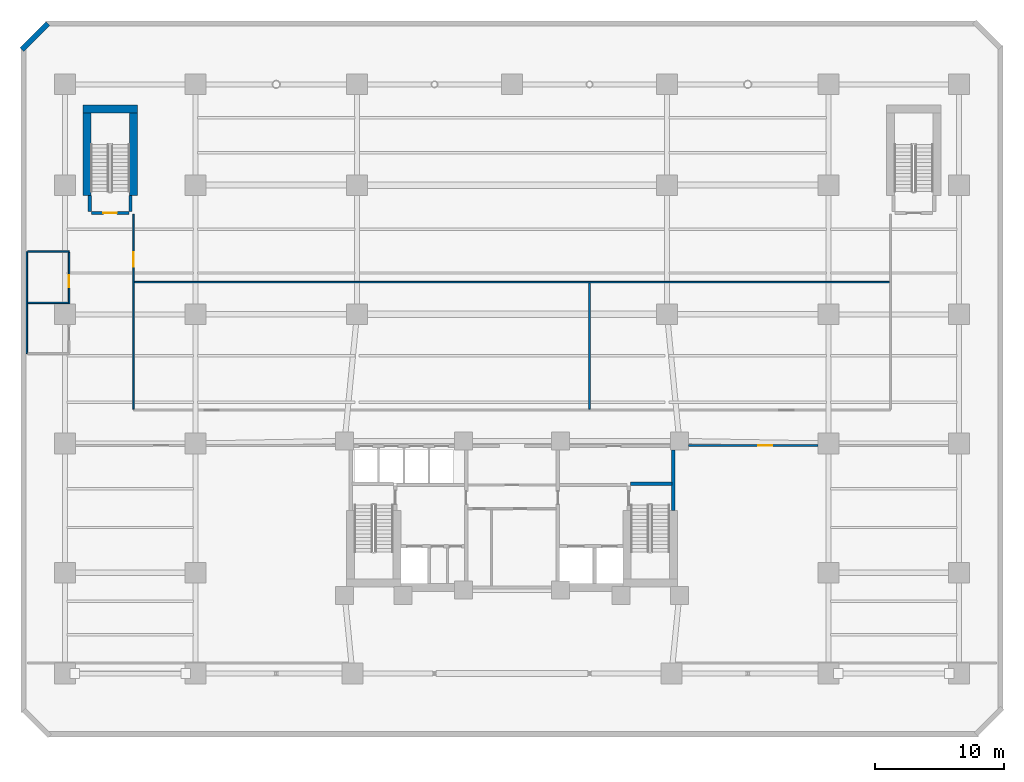
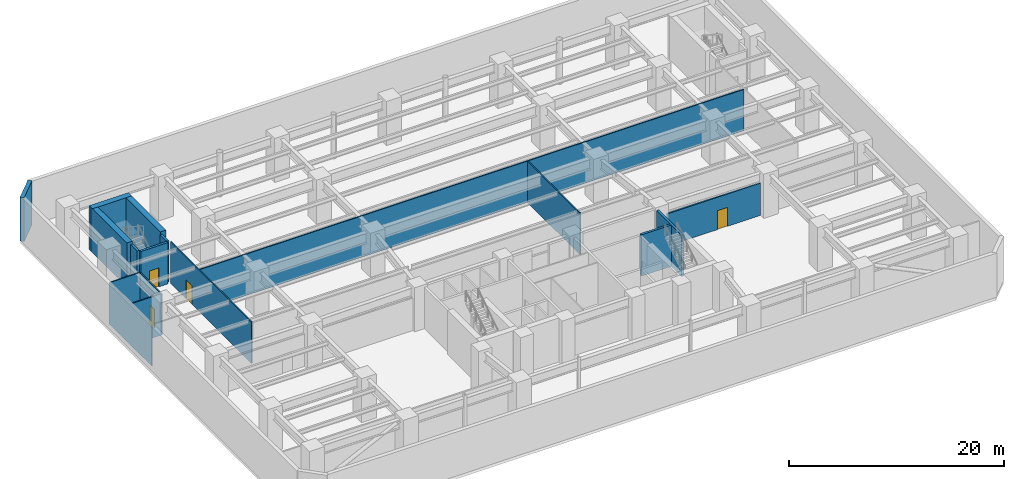
# One storey, part 8 of 12: 17 walls, 4 doors, 4 openings.
"""IFC4 building model written with IfcOpenShell, lengths in metres."""

from ifc_helpers import new_model, si_unit, direction, frame, frame_2d, origin, place, context, subcontext, project, spatial, rectangle, extrude, material, layer, layer_set, type_object, element, fill, save


model = new_model("IFC4")

# Units and contexts
model_context = context("Model", 3, precision=1e-05, world=origin(), true_north=direction((0.0, 1.0)))
body_context = subcontext(model_context, "Body", "Model", "MODEL_VIEW")
ifc_project = project(units=[si_unit("LENGTHUNIT", "METRE"), si_unit("AREAUNIT", "SQUARE_METRE"), si_unit("VOLUMEUNIT", "CUBIC_METRE"), si_unit("PLANEANGLEUNIT", "RADIAN"), si_unit("MASSUNIT", "GRAM", prefix="KILO")], contexts=[model_context])

# Site, building, storey
site_placement = place(None, origin())
site = spatial("IfcSite", under=ifc_project, at=site_placement, CompositionType="ELEMENT")
building_placement = place(site_placement, origin())
building = spatial("IfcBuilding", under=site, at=building_placement, Name="Quenlor Broadcast Tower", CompositionType="ELEMENT")
storey_placement = place(building_placement, frame((0.0, 0.0, -5.0)))
storey = spatial("IfcBuildingStorey", under=building, at=storey_placement, Name="B01", CompositionType="ELEMENT", Elevation=-5.0)

# Walls
ifc_material_1 = material(Name="Concrete C65/80", Category="concrete")
ifc_layer_1 = layer(ifc_material_1, 0.60009765625)
ifc_layer_set_1 = layer_set([ifc_layer_1], Name="Core Concrete C65/80 Shear Wall 600")
wall_type_1 = type_object("IfcWallType", Name="Core Concrete C65/80 Shear Wall 600", PredefinedType="SHEAR", material=ifc_layer_set_1)
wall_1_placement = place(storey_placement, frame((-33.199951171875, 20.89990234375, 0.0), z_axis=(0.0, 0.0, 1.0), x_axis=(1.0, 0.0, 0.0)))
element("IfcWall", 1, at=wall_1_placement, inside=storey, type_object=wall_type_1, Name="B01 Core Shear Wall ST3-N", PredefinedType="SHEAR", context=body_context, shape_type="SweptSolid", body=[
    extrude(rectangle(XDim=4.199951171875, YDim=0.60009765625, at=frame_2d((2.10009765625, 0.0))), origin(), (0.0, 0.0, 1.0), 5.0),
])
for number, where, z_axis, x_axis, name in (
    (2, (-32.89990234375, 14.199951171875, 0.0), (0.0, 0.0, 1.0), (0.0, 1.0, 0.0), "B01 Core Shear Wall ST3-W"),
    (3, (-29.300048828125, 14.199951171875, 0.0), (0.0, 0.0, 1.0), (0.0, 1.0, 0.0), "B01 Core Shear Wall ST3-E"),
):
    element("IfcWall", number, at=place(storey_placement, frame(where, z_axis=z_axis, x_axis=x_axis)), inside=storey, type_object=wall_type_1, Name=name, PredefinedType="SHEAR", context=body_context, shape_type="SweptSolid", body=[
        extrude(rectangle(XDim=6.699951171875, YDim=0.60009765625, at=frame_2d((3.35009765625, 0.0))), origin(), (0.0, 0.0, 1.0), 5.0),
    ])
ifc_material_2 = material(Name="Concrete C40/50", Category="concrete")
ifc_layer_2 = layer(ifc_material_2, 0.25)
ifc_layer_set_2 = layer_set([ifc_layer_2], Name="Fire Rated Concrete C40/50 Core Wall 250")
wall_type_2 = type_object("IfcWallType", Name="Fire Rated Concrete C40/50 Core Wall 250", PredefinedType="PARTITIONING", material=ifc_layer_set_2)
wall_2_placement = place(storey_placement, frame((9.159912109375, -8.1201171875, 0.0), z_axis=(0.0, 0.0, 1.0), x_axis=(1.0, 0.0, 0.0)))
element("IfcWall", 4, at=wall_2_placement, inside=storey, type_object=wall_type_2, Name="B01 Interior Wall CW-ST2-N", PredefinedType="PARTITIONING", context=body_context, shape_type="SweptSolid", body=[
    extrude(rectangle(XDim=3.219970703125, YDim=0.25, at=frame_2d((1.60986328125, 0.0))), origin(), (0.0, 0.0, 1.0), 4.699951171875),
])
wall_3_placement = place(storey_placement, frame((12.47998046875, -10.179931640625, 0.0), z_axis=(0.0, 0.0, 1.0), x_axis=(0.0, 1.0, 0.0)))
element("IfcWall", 5, at=wall_3_placement, inside=storey, type_object=wall_type_2, Name="B01 Interior Wall CW-ST2-E2", PredefinedType="PARTITIONING", context=body_context, shape_type="SweptSolid", body=[
    extrude(rectangle(XDim=4.677978515625, YDim=0.25, at=frame_2d((2.3388671875, 0.0))), origin(), (0.0, 0.0, 1.0), 4.699951171875),
])

# Wall, opening, door
wall_4_placement = place(storey_placement, frame((-32.550048828125, 12.840087890625, 0.0), z_axis=(0.0, 0.0, 1.0), x_axis=(1.0, 0.0, 0.0)))
wall_4 = element("IfcWall", 6, at=wall_4_placement, inside=storey, type_object=wall_type_2, Name="B01 Interior Wall CW-ST3-S", PredefinedType="PARTITIONING", context=body_context, shape_type="SweptSolid", body=[
    extrude(rectangle(XDim=2.900146484375, YDim=0.25, at=frame_2d((1.4501953125, 0.0))), origin(), (0.0, 0.0, 1.0), 4.699951171875),
])
opening_1_placement = place(wall_4_placement, frame((0.919921875, 0.0, 0.0)))
opening_1 = element("IfcOpeningElement", 7, at=opening_1_placement, cuts=wall_4, Name="Opening FD-1", PredefinedType="OPENING", context=body_context, shape_type="SweptSolid", body=[
    extrude(rectangle(XDim=1.050048828125, YDim=2.14990234375, at=frame_2d((0.52490234375, 1.074951171875))), frame((0.0, 0.135009765625, 0.0), z_axis=(0.0, -1.0, 0.0), x_axis=(1.0, 0.0, 0.0)), (0.0, 0.0, 1.0), 0.27001953125),
])
ifc_material_3 = material(Name="Fire Rated Steel Door Leaf", Category="steel")
door_type_1 = type_object("IfcDoorType", Name="Fire Isolated Stair Door 1050x2150", OperationType="NOTDEFINED", PredefinedType="DOOR", material=ifc_material_3)
door_1_placement = place(opening_1_placement, origin())
door_1 = element("IfcDoor", 8, at=door_1_placement, inside=storey, type_object=door_type_1, Name="B01 Door DR-ST3", OperationType="SINGLE_SWING_LEFT", OverallHeight=2.14990234375, OverallWidth=1.050048828125, PredefinedType="DOOR", context=body_context, shape_type="SweptSolid", body=[
    extrude(rectangle(XDim=1.050048828125, YDim=2.14990234375, at=frame_2d((0.52490234375, 1.074951171875))), frame((0.0, 0.02490234375, 0.0), z_axis=(0.0, -1.0, 0.0), x_axis=(1.0, 0.0, 0.0)), (0.0, 0.0, 1.0), 0.050048828125),
])
fill(opening_1, door_1)

# Walls
for number, where, z_axis, x_axis, name in (
    (9, (-32.679931640625, 12.9599609375, 0.0), (0.0, 0.0, 1.0), (0.0, 1.0, 0.0), "B01 Interior Wall CW-ST3-W1"),
    (10, (-29.52001953125, 12.9599609375, 0.0), (0.0, 0.0, 1.0), (0.0, 1.0, 0.0), "B01 Interior Wall CW-ST3-E1"),
):
    element("IfcWall", number, at=place(storey_placement, frame(where, z_axis=z_axis, x_axis=x_axis)), inside=storey, type_object=wall_type_2, Name=name, PredefinedType="PARTITIONING", context=body_context, shape_type="SweptSolid", body=[
        extrude(rectangle(XDim=1.219970703125, YDim=0.25, at=frame_2d((0.60986328125, 0.0))), origin(), (0.0, 0.0, 1.0), 4.699951171875),
    ])

# Wall, opening, door
ifc_material_4 = material(Name="Gypsum Fireboard Partition", Category="other")
ifc_layer_3 = layer(ifc_material_4, 0.159912109375)
ifc_layer_set_3 = layer_set([ifc_layer_3], Name="Fire Rated Shaft and Corridor Partition 160")
wall_type_3 = type_object("IfcWallType", Name="Fire Rated Shaft and Corridor Partition 160", PredefinedType="PARTITIONING", material=ifc_layer_set_3)
wall_5_placement = place(storey_placement, frame((13.652099609375, -5.14990234375, 0.0), z_axis=(0.0, 0.0, 1.0), x_axis=(1.0, 0.0, 0.0)))
wall_5 = element("IfcWall", 11, at=wall_5_placement, inside=storey, type_object=wall_type_3, Name="B01 Interior Wall PW-PD-CSE", PredefinedType="PARTITIONING", context=body_context, shape_type="SweptSolid", body=[
    extrude(rectangle(XDim=10.0458984375, YDim=0.159912109375, at=frame_2d((5.02294921875, 0.0))), origin(), (0.0, 0.0, 1.0), 3.676025390625),
])
opening_2_placement = place(wall_5_placement, frame((5.39794921875, 0.0, 0.0)))
opening_2 = element("IfcOpeningElement", 12, at=opening_2_placement, cuts=wall_5, Name="Opening ID-2", PredefinedType="OPENING", context=body_context, shape_type="SweptSolid", body=[
    extrude(rectangle(XDim=1.10009765625, YDim=2.14990234375, at=frame_2d((0.550048828125, 1.074951171875))), frame((0.0, 0.08984375, 0.0), z_axis=(0.0, -1.0, 0.0), x_axis=(1.0, 0.0, 0.0)), (0.0, 0.0, 1.0), 0.179931640625),
])
ifc_material_5 = material(Name="Acoustic Laminated Timber Oak", Category="wood")
door_type_2 = type_object("IfcDoorType", Name="Wide Studio Acoustic Timber Door 1100x2150", OperationType="NOTDEFINED", PredefinedType="DOOR", material=ifc_material_5)
door_2_placement = place(opening_2_placement, origin())
door_2 = element("IfcDoor", 13, at=door_2_placement, inside=storey, type_object=door_type_2, Name="B01 Door DR-PD2", OperationType="SINGLE_SWING_RIGHT", OverallHeight=2.14990234375, OverallWidth=1.10009765625, PredefinedType="DOOR", context=body_context, shape_type="SweptSolid", body=[
    extrude(rectangle(XDim=1.10009765625, YDim=2.14990234375, at=frame_2d((0.550048828125, 1.074951171875))), frame((0.0, 0.02490234375, 0.0), z_axis=(0.0, -1.0, 0.0), x_axis=(1.0, 0.0, 0.0)), (0.0, 0.0, 1.0), 0.050048828125),
])
fill(opening_2, door_2)

ifc_material_6 = material(Name="Gypsum Plasterboard Partition", Category="other")
ifc_layer_4 = layer(ifc_material_6, 0.1201171875)
ifc_layer_set_4 = layer_set([ifc_layer_4], Name="Standard Office Partition 120")
wall_type_4 = type_object("IfcWallType", Name="Standard Office Partition 120", PredefinedType="PARTITIONING", material=ifc_layer_set_4)
wall_6_placement = place(storey_placement, frame((-29.300048828125, -2.337890625, 0.0), z_axis=(0.0, 0.0, 1.0), x_axis=(0.0, 1.0, 0.0)))
wall_6 = element("IfcWall", 14, at=wall_6_placement, inside=storey, type_object=wall_type_4, Name="B01 Interior Wall PW-PD-LW", PredefinedType="PARTITIONING", context=body_context, shape_type="SweptSolid", body=[
    extrude(rectangle(XDim=15.087890625, YDim=0.1201171875, at=frame_2d((7.5439453125, 0.0))), origin(), (0.0, 0.0, 1.0), 4.699951171875),
])
opening_3_placement = place(wall_6_placement, frame((11.0380859375, 0.0, 0.0)))
opening_3 = element("IfcOpeningElement", 15, at=opening_3_placement, cuts=wall_6, Name="Opening ID-2", PredefinedType="OPENING", context=body_context, shape_type="SweptSolid", body=[
    extrude(rectangle(XDim=1.10009765625, YDim=2.14990234375, at=frame_2d((0.550048828125, 1.074951171875))), frame((0.0, 0.070068359375, 0.0), z_axis=(0.0, -1.0, 0.0), x_axis=(1.0, 0.0, 0.0)), (0.0, 0.0, 1.0), 0.14013671875),
])
door_3_placement = place(opening_3_placement, origin())
door_3 = element("IfcDoor", 16, at=door_3_placement, inside=storey, type_object=door_type_2, Name="B01 Door DR-PD5", OperationType="SINGLE_SWING_LEFT", OverallHeight=2.14990234375, OverallWidth=1.10009765625, PredefinedType="DOOR", context=body_context, shape_type="SweptSolid", body=[
    extrude(rectangle(XDim=1.10009765625, YDim=2.14990234375, at=frame_2d((0.550048828125, 1.074951171875))), frame((0.0, 0.02490234375, 0.0), z_axis=(0.0, -1.0, 0.0), x_axis=(1.0, 0.0, 0.0)), (0.0, 0.0, 1.0), 0.050048828125),
])
fill(opening_3, door_3)

# Walls
wall_7_placement = place(storey_placement, frame((6.0, -2.337890625, 0.0), z_axis=(0.0, 0.0, 1.0), x_axis=(0.0, 1.0, 0.0)))
element("IfcWall", 17, at=wall_7_placement, inside=storey, type_object=wall_type_4, Name="B01 Interior Wall PW-PD-VX", PredefinedType="PARTITIONING", context=body_context, shape_type="SweptSolid", body=[
    extrude(rectangle(XDim=9.7578125, YDim=0.1201171875, at=frame_2d((4.87890625, 0.0))), origin(), (0.0, 0.0, 1.0), 4.699951171875),
])
wall_8_placement = place(storey_placement, frame((-29.219970703125, 7.5, 0.0), z_axis=(0.0, 0.0, 1.0), x_axis=(1.0, 0.0, 0.0)))
element("IfcWall", 18, at=wall_8_placement, inside=storey, type_object=wall_type_4, Name="B01 Interior Wall PW-PD-HY", PredefinedType="PARTITIONING", context=body_context, shape_type="SweptSolid", body=[
    extrude(rectangle(XDim=58.43994140625, YDim=0.1201171875, at=frame_2d((29.219970703125, 0.0))), origin(), (0.0, 0.0, 1.0), 4.699951171875),
])
wall_9_placement = place(storey_placement, frame((-37.550048828125, 1.949951171875, 0.0), z_axis=(0.0, 0.0, 1.0), x_axis=(0.0, 1.0, 0.0)))
element("IfcWall", 19, at=wall_9_placement, inside=storey, type_object=wall_type_4, Name="B01 Interior Wall PW-PD-WCW", PredefinedType="PARTITIONING", context=body_context, shape_type="SweptSolid", body=[
    extrude(rectangle(XDim=7.900146484375, YDim=0.1201171875, at=frame_2d((3.9501953125, 0.0))), origin(), (0.0, 0.0, 1.0), 4.699951171875),
])

# Wall, opening, door
wall_10_placement = place(storey_placement, frame((-34.280029296875, 5.802001953125, 0.0), z_axis=(0.0, 0.0, 1.0), x_axis=(0.0, 1.0, 0.0)))
wall_10 = element("IfcWall", 20, at=wall_10_placement, inside=storey, type_object=wall_type_4, Name="B01 Interior Wall PW-PD-WCES2", PredefinedType="PARTITIONING", context=body_context, shape_type="SweptSolid", body=[
    extrude(rectangle(XDim=3.988037109375, YDim=0.1201171875, at=frame_2d((1.994140625, 0.0))), origin(), (0.0, 0.0, 1.0), 4.699951171875),
])
opening_4_placement = place(wall_10_placement, frame((1.30810546875, 0.0, 0.0)))
opening_4 = element("IfcOpeningElement", 21, at=opening_4_placement, cuts=wall_10, Name="Opening ID-3", PredefinedType="OPENING", context=body_context, shape_type="SweptSolid", body=[
    extrude(rectangle(XDim=0.89990234375, YDim=2.1201171875, at=frame_2d((0.449951171875, 1.06005859375))), frame((0.0, 0.070068359375, 0.0), z_axis=(0.0, -1.0, 0.0), x_axis=(1.0, 0.0, 0.0)), (0.0, 0.0, 1.0), 0.14013671875),
])
ifc_material_7 = material(Name="Moisture Resistant Timber Oak", Category="wood")
door_type_3 = type_object("IfcDoorType", Name="Washroom Privacy Door 900x2120", OperationType="NOTDEFINED", PredefinedType="DOOR", material=ifc_material_7)
door_4_placement = place(opening_4_placement, origin())
door_4 = element("IfcDoor", 22, at=door_4_placement, inside=storey, type_object=door_type_3, Name="B01 Door DR-PD-FWC", OperationType="SINGLE_SWING_RIGHT", OverallHeight=2.1201171875, OverallWidth=0.89990234375, PredefinedType="DOOR", context=body_context, shape_type="SweptSolid", body=[
    extrude(rectangle(XDim=0.89990234375, YDim=2.1201171875, at=frame_2d((0.449951171875, 1.06005859375))), frame((0.0, 0.02490234375, 0.0), z_axis=(0.0, -1.0, 0.0), x_axis=(1.0, 0.0, 0.0)), (0.0, 0.0, 1.0), 0.050048828125),
])
fill(opening_4, door_4)

# Walls
wall_11_placement = place(storey_placement, frame((-37.488037109375, 5.8798828125, 0.0), z_axis=(0.0, 0.0, 1.0), x_axis=(1.0, 0.0, 0.0)))
element("IfcWall", 23, at=wall_11_placement, inside=storey, type_object=wall_type_4, Name="B01 Interior Wall PW-PD-WCM", PredefinedType="PARTITIONING", context=body_context, shape_type="SweptSolid", body=[
    extrude(rectangle(XDim=3.14599609375, YDim=0.1201171875, at=frame_2d((1.572998046875, 0.0))), origin(), (0.0, 0.0, 1.0), 4.699951171875),
])
wall_12_placement = place(storey_placement, frame((-37.488037109375, 9.85009765625, 0.0), z_axis=(0.0, 0.0, 1.0), x_axis=(1.0, 0.0, 0.0)))
element("IfcWall", 24, at=wall_12_placement, inside=storey, type_object=wall_type_4, Name="B01 Interior Wall PW-PD-WCN", PredefinedType="PARTITIONING", context=body_context, shape_type="SweptSolid", body=[
    extrude(rectangle(XDim=3.2080078125, YDim=0.1201171875, at=frame_2d((1.60400390625, 0.0))), origin(), (0.0, 0.0, 1.0), 4.699951171875),
])
ifc_material_8 = material(Name="Concrete C50/60", Category="concrete")
ifc_layer_5 = layer(ifc_material_8, 0.39990234375)
ifc_layer_set_5 = layer_set([ifc_layer_5], Name="Upper Basement Concrete C50/60 Retaining Wall 400")
wall_type_5 = type_object("IfcWallType", Name="Upper Basement Concrete C50/60 Retaining Wall 400", PredefinedType="USERDEFINED", material=ifc_layer_set_5)
wall_13_placement = place(storey_placement, frame((-37.94140625, 25.4755859375, 0.0), z_axis=(0.0, 0.0, 1.0), x_axis=(0.707064139439, 0.707149420363, 0.0)))
element("IfcWall", 25, at=wall_13_placement, inside=storey, type_object=wall_type_5, Name="B01 Perimeter Retaining Wall 3", ObjectType="RETAININGWALL", PredefinedType="USERDEFINED", context=body_context, shape_type="SweptSolid", body=[
    extrude(rectangle(XDim=2.86279296875, YDim=0.39990234375, at=frame_2d((1.431396484375, 0.0))), origin(), (0.0, 0.0, 1.0), 5.0),
])

save(model, "model.ifc")
